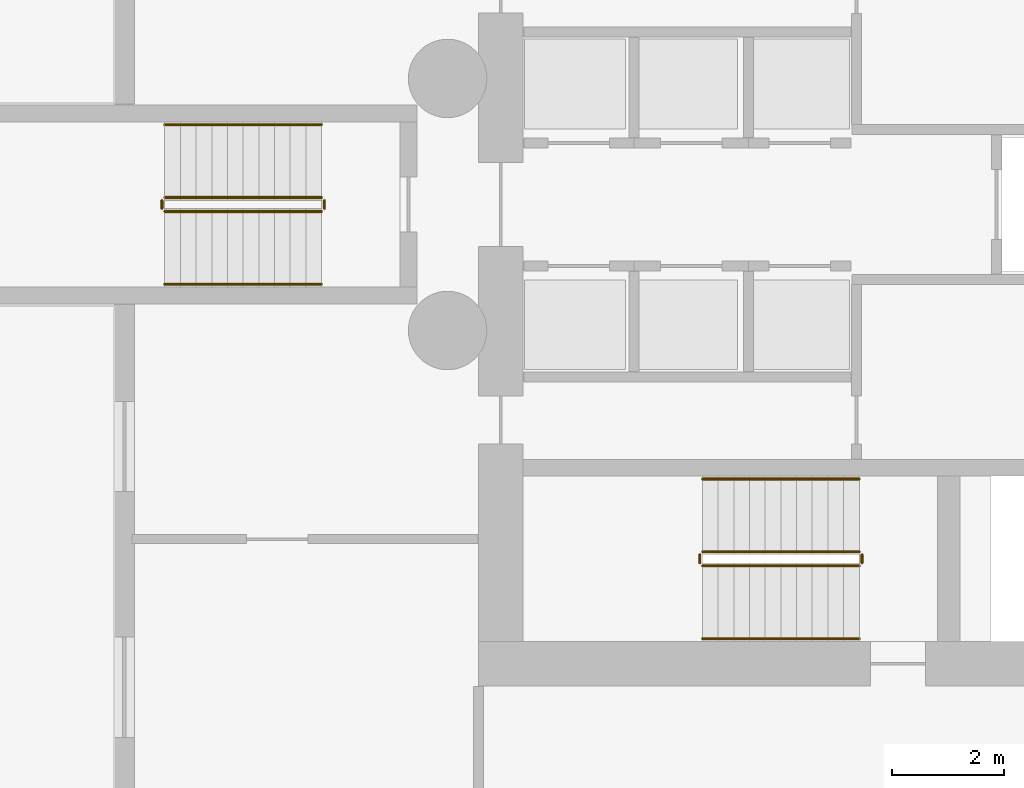
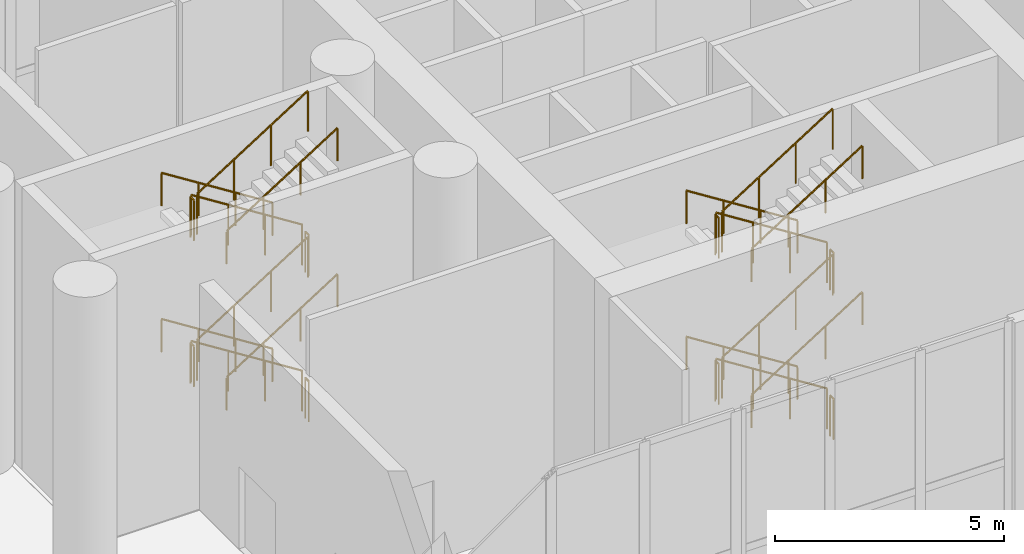
# One storey, part 11 of 16: 24 railings.
"""IFC4 building model written with IfcOpenShell, lengths in metres."""

from ifc_helpers import new_model, si_unit, direction, frame, origin, origin_2d, place, context, subcontext, project, spatial, circle, extrude, source, transform, mapped, material, type_object, element, save


model = new_model("IFC4")

# Units and contexts
model_context = context("Model", 3, precision=1e-05, world=origin(), true_north=direction((0.0, 1.0)))
body_context = subcontext(model_context, "Body", "Model", "MODEL_VIEW")
ifc_project = project(units=[si_unit("LENGTHUNIT", "METRE"), si_unit("AREAUNIT", "SQUARE_METRE"), si_unit("VOLUMEUNIT", "CUBIC_METRE"), si_unit("PLANEANGLEUNIT", "RADIAN"), si_unit("MASSUNIT", "GRAM", prefix="KILO")], contexts=[model_context])

# Site, building, storey
site_placement = place(None, origin())
site = spatial("IfcSite", under=ifc_project, at=site_placement, CompositionType="ELEMENT")
building_placement = place(site_placement, origin())
building = spatial("IfcBuilding", under=site, at=building_placement, Name="Qafzar Sky-Pleat Residences", CompositionType="ELEMENT")
storey_placement = place(building_placement, origin())
storey = spatial("IfcBuildingStorey", under=building, at=storey_placement, Name="L00", CompositionType="ELEMENT", Elevation=0.0)

# Railings
ifc_material_1 = material(Name="Painted Steel S355 stair guardrail", Category="steel")
railing_type_1 = type_object("IfcRailingType", Name="RAIL-STAIR-GUARD", PredefinedType="GUARDRAIL", material=ifc_material_1)
shared_shape_1 = source(origin(), body_context, "Body", "SweptSolid", [
    extrude(circle(Radius=0.02392578125, at=origin_2d()), frame((0.0, 0.0, 1.076171875), z_axis=(0.0, -1.0, 0.0), x_axis=(1.0, 0.0, 0.0)), (0.0, 0.0, 1.0), 0.14990234375),
    extrude(circle(Radius=0.02099609375, at=origin_2d()), origin(), (0.0, 0.0, 1.0), 1.052001953125),
    extrude(circle(Radius=0.02099609375, at=origin_2d()), frame((0.0, -0.14990234375, 0.0)), (0.0, 0.0, 1.0), 1.052001953125),
])
for number, where, name in (
    (1, (27.949951171875, 19.75, 1.949951171875), "L00 ST1 stair guard 2"),
    (2, (30.85009765625, 19.75, 3.89990234375), "L00 ST1 stair guard 4"),
    (3, (27.949951171875, 19.75, 5.85009765625), "L00 ST1 stair guard 6"),
    (4, (30.85009765625, 19.75, 0.0), "L00 ST1 stair guard 8"),
    (5, (18.35009765625, 26.074951171875, 1.949951171875), "L00 ST3 stair guard 2"),
    (6, (21.25, 26.074951171875, 3.89990234375), "L00 ST3 stair guard 4"),
    (7, (18.35009765625, 26.074951171875, 5.85009765625), "L00 ST3 stair guard 6"),
    (8, (21.25, 26.074951171875, 0.0), "L00 ST3 stair guard 8"),
):
    element("IfcRailing", number, at=place(storey_placement, frame(where)), inside=storey, type_object=railing_type_1, Name=name, PredefinedType="GUARDRAIL", context=body_context, shape_type="MappedRepresentation", body=[
        mapped(shared_shape_1, transform((0.0, 0.0, 0.0), x_axis=(1.0, 0.0, 0.0), y_axis=(0.0, 1.0, 0.0), z_axis=(0.0, 0.0, 1.0), scale=1.0)),
    ])
shared_shape_2 = source(origin(), body_context, "Body", "SweptSolid", [
    extrude(circle(Radius=0.02392578125, at=origin_2d()), frame((0.0, 0.0, 1.076171875), z_axis=(-0.844908973607, 0.0, 0.534910110503), x_axis=(0.0, -1.0, 0.0)), (0.0, 0.0, 1.0), 3.31396484375),
    extrude(circle(Radius=0.02099609375, at=origin_2d()), origin(), (0.0, 0.0, 1.0), 1.052001953125),
    extrude(circle(Radius=0.02099609375, at=origin_2d()), frame((-0.933349609375, 0.0, 0.5908203125)), (0.0, 0.0, 1.0), 1.052001953125),
    extrude(circle(Radius=0.02099609375, at=origin_2d()), frame((-1.86669921875, 0.0, 1.181884765625)), (0.0, 0.0, 1.0), 1.052001953125),
    extrude(circle(Radius=0.02099609375, at=origin_2d()), frame((-2.800048828125, 0.0, 1.772705078125)), (0.0, 0.0, 1.0), 1.052001953125),
])
for number, where, name in (
    (9, (30.800048828125, 19.800048828125, 0.17724609375), "L00 ST1 stair guard 1"),
    (10, (30.800048828125, 19.800048828125, 4.077392578125), "L00 ST1 stair guard 5"),
    (11, (21.199951171875, 26.125, 0.17724609375), "L00 ST3 stair guard 1"),
    (12, (21.199951171875, 26.125, 4.077392578125), "L00 ST3 stair guard 5"),
):
    element("IfcRailing", number, at=place(storey_placement, frame(where)), inside=storey, type_object=railing_type_1, Name=name, PredefinedType="GUARDRAIL", context=body_context, shape_type="MappedRepresentation", body=[
        mapped(shared_shape_2, transform((0.0, 0.0, 0.0), x_axis=(1.0, 0.0, 0.0), y_axis=(0.0, 1.0, 0.0), z_axis=(0.0, 0.0, 1.0), scale=1.0)),
    ])
shared_shape_3 = source(origin(), body_context, "Body", "SweptSolid", [
    extrude(circle(Radius=0.02392578125, at=origin_2d()), frame((0.0, 0.0, 1.076171875), z_axis=(0.844908973607, 0.0, 0.534910110503), x_axis=(0.0, 1.0, 0.0)), (0.0, 0.0, 1.0), 3.31396484375),
    extrude(circle(Radius=0.02099609375, at=origin_2d()), origin(), (0.0, 0.0, 1.0), 1.052001953125),
    extrude(circle(Radius=0.02099609375, at=origin_2d()), frame((0.933349609375, 0.0, 0.5908203125)), (0.0, 0.0, 1.0), 1.052001953125),
    extrude(circle(Radius=0.02099609375, at=origin_2d()), frame((1.86669921875, 0.0, 1.181884765625)), (0.0, 0.0, 1.0), 1.052001953125),
    extrude(circle(Radius=0.02099609375, at=origin_2d()), frame((2.800048828125, 0.0, 1.772705078125)), (0.0, 0.0, 1.0), 1.052001953125),
])
for number, where, name in (
    (13, (28.0, 19.550048828125, 2.127197265625), "L00 ST1 stair guard 3"),
    (14, (28.0, 19.550048828125, 6.02734375), "L00 ST1 stair guard 7"),
    (15, (18.39990234375, 25.875, 2.127197265625), "L00 ST3 stair guard 3"),
    (16, (18.39990234375, 25.875, 6.02734375), "L00 ST3 stair guard 7"),
):
    element("IfcRailing", number, at=place(storey_placement, frame(where)), inside=storey, type_object=railing_type_1, Name=name, PredefinedType="GUARDRAIL", context=body_context, shape_type="MappedRepresentation", body=[
        mapped(shared_shape_3, transform((0.0, 0.0, 0.0), x_axis=(1.0, 0.0, 0.0), y_axis=(0.0, 1.0, 0.0), z_axis=(0.0, 0.0, 1.0), scale=1.0)),
    ])
ifc_material_2 = material(Name="Brushed stainless steel handrail", Category="steel")
railing_type_2 = type_object("IfcRailingType", Name="RAIL-STAIR-HAND", PredefinedType="HANDRAIL", material=ifc_material_2)
shared_shape_4 = source(origin(), body_context, "Body", "SweptSolid", [
    extrude(circle(Radius=0.02392578125, at=origin_2d()), frame((0.0, 0.0, 0.8759765625), z_axis=(-0.844908973607, 0.0, 0.534910110503), x_axis=(0.0, -1.0, 0.0)), (0.0, 0.0, 1.0), 3.31396484375),
    extrude(circle(Radius=0.02099609375, at=origin_2d()), origin(), (0.0, 0.0, 1.0), 0.851806640625),
    extrude(circle(Radius=0.02099609375, at=origin_2d()), frame((-0.933349609375, 0.0, 0.5908203125)), (0.0, 0.0, 1.0), 0.851806640625),
    extrude(circle(Radius=0.02099609375, at=origin_2d()), frame((-1.86669921875, 0.0, 1.181884765625)), (0.0, 0.0, 1.0), 0.851806640625),
    extrude(circle(Radius=0.02099609375, at=origin_2d()), frame((-2.800048828125, 0.0, 1.772705078125)), (0.0, 0.0, 1.0), 0.851806640625),
])
for number, where, name in (
    (17, (30.800048828125, 21.10009765625, 0.17724609375), "L00 ST1 stair handrail 1"),
    (18, (30.800048828125, 21.10009765625, 4.077392578125), "L00 ST1 stair handrail 3"),
    (19, (21.199951171875, 27.425048828125, 0.17724609375), "L00 ST3 stair handrail 1"),
    (20, (21.199951171875, 27.425048828125, 4.077392578125), "L00 ST3 stair handrail 3"),
):
    element("IfcRailing", number, at=place(storey_placement, frame(where)), inside=storey, type_object=railing_type_2, Name=name, PredefinedType="HANDRAIL", context=body_context, shape_type="MappedRepresentation", body=[
        mapped(shared_shape_4, transform((0.0, 0.0, 0.0), x_axis=(1.0, 0.0, 0.0), y_axis=(0.0, 1.0, 0.0), z_axis=(0.0, 0.0, 1.0), scale=1.0)),
    ])
shared_shape_5 = source(origin(), body_context, "Body", "SweptSolid", [
    extrude(circle(Radius=0.02392578125, at=origin_2d()), frame((0.0, 0.0, 0.8759765625), z_axis=(0.844908973607, 0.0, 0.534910110503), x_axis=(0.0, 1.0, 0.0)), (0.0, 0.0, 1.0), 3.31396484375),
    extrude(circle(Radius=0.02099609375, at=origin_2d()), origin(), (0.0, 0.0, 1.0), 0.851806640625),
    extrude(circle(Radius=0.02099609375, at=origin_2d()), frame((0.933349609375, 0.0, 0.5908203125)), (0.0, 0.0, 1.0), 0.851806640625),
    extrude(circle(Radius=0.02099609375, at=origin_2d()), frame((1.86669921875, 0.0, 1.181884765625)), (0.0, 0.0, 1.0), 0.851806640625),
    extrude(circle(Radius=0.02099609375, at=origin_2d()), frame((2.800048828125, 0.0, 1.772705078125)), (0.0, 0.0, 1.0), 0.851806640625),
])
for number, where, name in (
    (21, (28.0, 18.25, 2.127197265625), "L00 ST1 stair handrail 2"),
    (22, (28.0, 18.25, 6.02734375), "L00 ST1 stair handrail 4"),
    (23, (18.39990234375, 24.574951171875, 2.127197265625), "L00 ST3 stair handrail 2"),
    (24, (18.39990234375, 24.574951171875, 6.02734375), "L00 ST3 stair handrail 4"),
):
    element("IfcRailing", number, at=place(storey_placement, frame(where)), inside=storey, type_object=railing_type_2, Name=name, PredefinedType="HANDRAIL", context=body_context, shape_type="MappedRepresentation", body=[
        mapped(shared_shape_5, transform((0.0, 0.0, 0.0), x_axis=(1.0, 0.0, 0.0), y_axis=(0.0, 1.0, 0.0), z_axis=(0.0, 0.0, 1.0), scale=1.0)),
    ])

save(model, "model.ifc")
